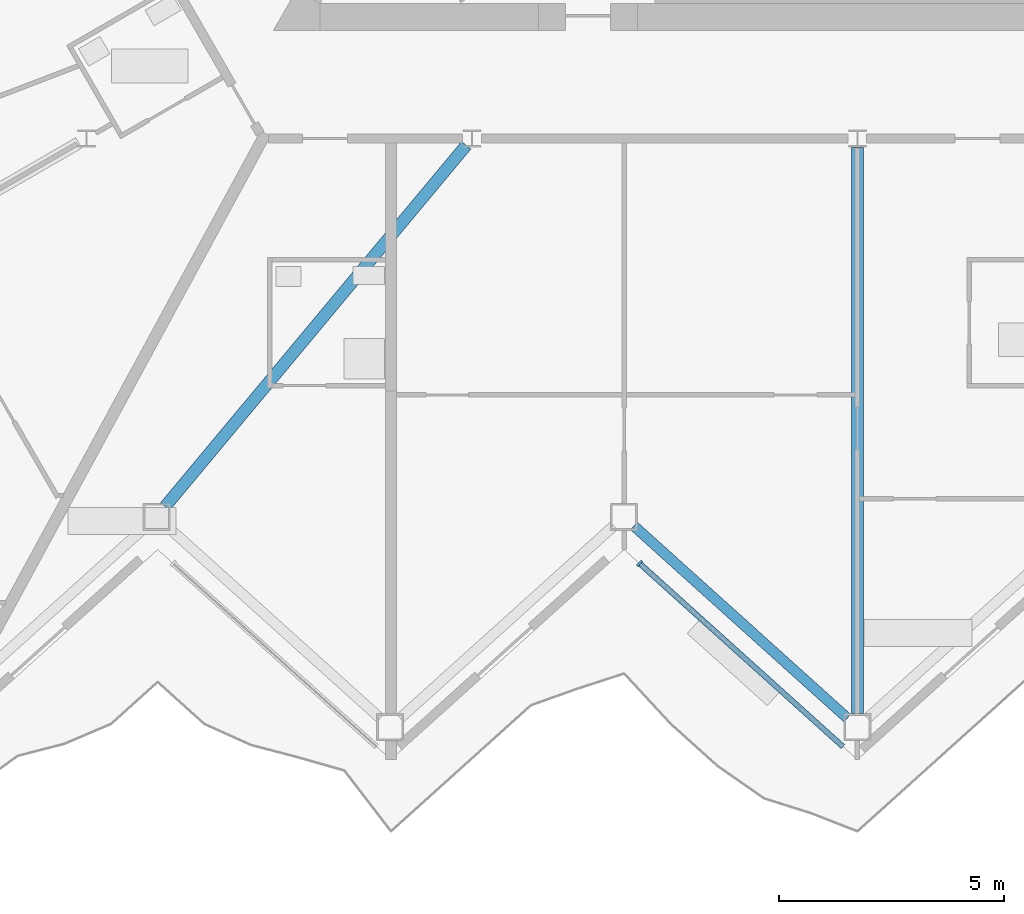
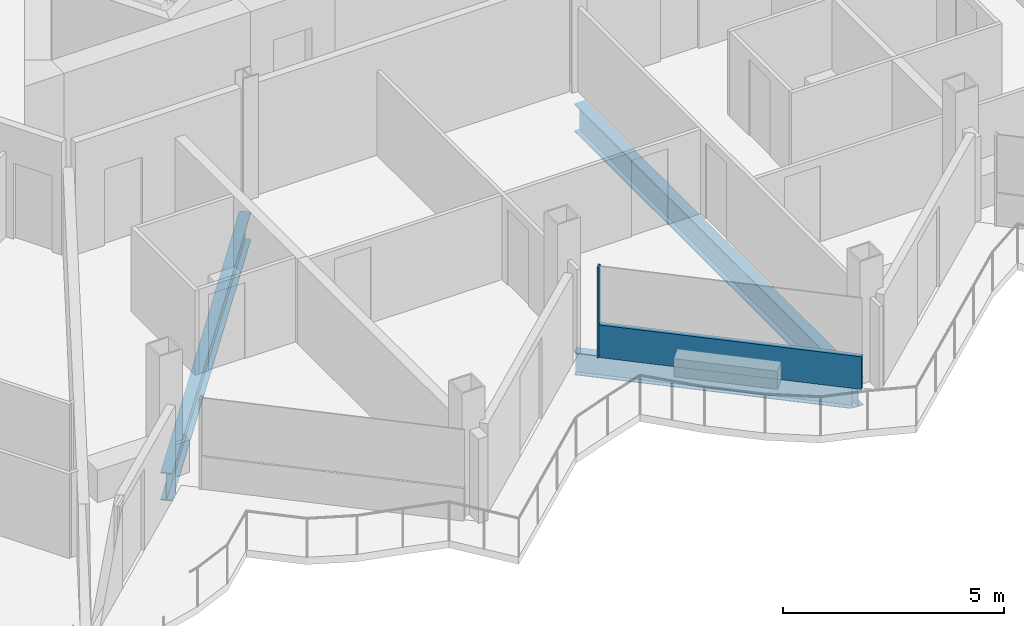
# One storey, part 5 of 28: 3 beams, 2 members, 1 element without a shape of its own.
"""IFC4 building model written with IfcOpenShell, lengths in metres."""

from ifc_helpers import new_model, si_unit, direction, frame, origin, origin_2d, place, context, subcontext, project, spatial, rectangle, i_section, extrude, material, layer, layer_set, material_profile, profile_set, type_object, element, aggregate, save


model = new_model("IFC4")

# Units and contexts
model_context = context("Model", 3, precision=1e-05, world=origin(), true_north=direction((0.0, 1.0)))
body_context = subcontext(model_context, "Body", "Model", "MODEL_VIEW")
ifc_project = project(units=[si_unit("LENGTHUNIT", "METRE"), si_unit("AREAUNIT", "SQUARE_METRE"), si_unit("VOLUMEUNIT", "CUBIC_METRE"), si_unit("PLANEANGLEUNIT", "RADIAN"), si_unit("MASSUNIT", "GRAM", prefix="KILO")], contexts=[model_context])

# Site, building, storey
site_placement = place(None, origin())
site = spatial("IfcSite", under=ifc_project, at=site_placement, CompositionType="ELEMENT")
building_placement = place(site_placement, origin())
building = spatial("IfcBuilding", under=site, at=building_placement, Name="Cormorant Prow Tower", CompositionType="ELEMENT")
storey_placement = place(building_placement, frame((0.0, 0.0, 308.60009765625)))
storey = spatial("IfcBuildingStorey", under=building, at=storey_placement, Name="L67", CompositionType="ELEMENT", Elevation=308.60009765625)

# Beams
ifc_material_1 = material(Name="Structural steel ASTM A992 Gr 50", Category="steel")
ifc_material_profile_1 = material_profile(ifc_material_1, i_section(OverallWidth=0.267822265625, OverallDepth=0.77001953125, WebThickness=0.015625, FlangeThickness=0.025390625, at=origin_2d()), Name="W30x132")
ifc_profile_set_1 = profile_set([ifc_material_profile_1], Name="Structural steel ASTM A992 Gr 50")
beam_type_1 = type_object("IfcBeamType", Name="Radial floor beam W30x132", PredefinedType="BEAM", material=ifc_profile_set_1)
beam_1_placement = place(storey_placement, frame((-8.705078125, -10.057373046875, -0.68505859375), z_axis=(-0.640239469619, -0.768175384624, 0.0), x_axis=(0.768175384624, -0.640239469619, 0.0)))
element("IfcBeam", 1, at=beam_1_placement, inside=storey, type_object=beam_type_1, Name="Radial floor beam FB3 6 L67", PredefinedType="BEAM", context=body_context, shape_type="SweptSolid", body=[
    extrude(i_section(OverallWidth=0.267822265625, OverallDepth=0.77001953125, WebThickness=0.015625, FlangeThickness=0.025390625, at=origin_2d()), origin(), (0.0, 0.0, 1.0), 10.465087890625),
])
beam_2_placement = place(storey_placement, frame((0.0, -10.103271484375, -0.68505859375), z_axis=(0.0, -1.0, 0.0), x_axis=(1.0, 0.0, 0.0)))
element("IfcBeam", 2, at=beam_2_placement, inside=storey, type_object=beam_type_1, Name="Radial floor beam FB3 7 L67", PredefinedType="BEAM", context=body_context, shape_type="SweptSolid", body=[
    extrude(i_section(OverallWidth=0.267822265625, OverallDepth=0.77001953125, WebThickness=0.015625, FlangeThickness=0.025390625, at=origin_2d()), origin(), (0.0, 0.0, 1.0), 12.604736328125),
])

# Curtain wall, members
ifc_material_2 = material(Name="Aluminium 6063-T6", Category="aluminium")
ifc_layer = layer(ifc_material_2, 0.159912109375)
ifc_layer_set = layer_set([ifc_layer], Name="Aluminium 6063-T6")
curtain_wall_type = type_object("IfcCurtainWallType", Name="Residential unitised curtain wall 160", PredefinedType="NOTDEFINED", material=ifc_layer_set)
curtain_wall_placement = place(storey_placement, origin())
curtain_wall = element("IfcCurtainWall", 3, at=curtain_wall_placement, inside=storey, type_object=curtain_wall_type, Name="Residential curtain wall S04", PredefinedType="NOTDEFINED")
ifc_material_3 = material(Name="Aluminium 6063-T6", Category="aluminium")
ifc_material_profile_2 = material_profile(ifc_material_3, rectangle(XDim=0.159912109375, YDim=0.050048828125, at=origin_2d()), Name="Residential mullion 50x160")
ifc_profile_set_2 = profile_set([ifc_material_profile_2], Name="Aluminium 6063-T6")
member_type_1 = type_object("IfcMemberType", Name="Residential mullion 50x160", PredefinedType="MULLION", material=ifc_profile_set_2)
member_1_placement = place(storey_placement, frame((-4.849853515625, -19.362060546875, 0.0), z_axis=(0.0, 0.0, 1.0), x_axis=(0.669130584997, 0.743144844712, 0.0)))
member_1 = element("IfcMember", 4, at=member_1_placement, type_object=member_type_1, Name="Residential mullion S04", PredefinedType="MULLION", context=body_context, shape_type="SweptSolid", body=[
    extrude(rectangle(XDim=0.159912109375, YDim=0.050048828125, at=origin_2d()), origin(), (0.0, 0.0, 1.0), 2.48779296875),
])
ifc_material_4 = material(Name="Terracotta", Category="masonry")
ifc_material_profile_3 = material_profile(ifc_material_4, rectangle(XDim=0.1201171875, YDim=0.89990234375, at=origin_2d()), Name="Residential terracotta spandrel rail 120x900")
ifc_profile_set_3 = profile_set([ifc_material_profile_3], Name="Terracotta")
member_type_2 = type_object("IfcMemberType", Name="Residential terracotta spandrel rail 120x900", PredefinedType="USERDEFINED", material=ifc_profile_set_3)
member_2_placement = place(storey_placement, frame((-4.831298828125, -19.37890625, 0.449951171875), z_axis=(0.74315806971, -0.669115896856, 0.0), x_axis=(0.669115896856, 0.74315806971, 0.0)))
member_2 = element("IfcMember", 5, at=member_2_placement, type_object=member_type_2, Name="Residential spandrel rail S04", ObjectType="TRANSOM", PredefinedType="USERDEFINED", context=body_context, shape_type="SweptSolid", body=[
    extrude(rectangle(XDim=0.1201171875, YDim=0.89990234375, at=origin_2d()), origin(), (0.0, 0.0, 1.0), 6.067138671875),
])
aggregate(curtain_wall, [member_1, member_2])

# Beam
ifc_material_5 = material(Name="Structural steel ASTM A992 Gr 50", Category="steel")
ifc_material_profile_4 = material_profile(ifc_material_5, i_section(OverallWidth=0.22900390625, OverallDepth=0.612060546875, WebThickness=0.011962890625, FlangeThickness=0.01953125, at=origin_2d()), Name="W24x84")
ifc_profile_set_4 = profile_set([ifc_material_profile_4], Name="Structural steel ASTM A992 Gr 50")
beam_type_2 = type_object("IfcBeamType", Name="Spandrel beam W24x84", PredefinedType="SPANDREL", material=ifc_profile_set_4)
beam_3_placement = place(storey_placement, frame((-4.97607421875, -18.527587890625, -0.606201171875), z_axis=(0.743144186555, -0.669131315954, 0.0), x_axis=(0.669131315954, 0.743144186555, 0.0)))
element("IfcBeam", 6, at=beam_3_placement, inside=storey, type_object=beam_type_2, Name="Spandrel beam SB3 S04-S05 L67", PredefinedType="SPANDREL", context=body_context, shape_type="SweptSolid", body=[
    extrude(i_section(OverallWidth=0.22900390625, OverallDepth=0.612060546875, WebThickness=0.011962890625, FlangeThickness=0.01953125, at=origin_2d()), origin(), (0.0, 0.0, 1.0), 6.39599609375),
])

save(model, "model.ifc")
